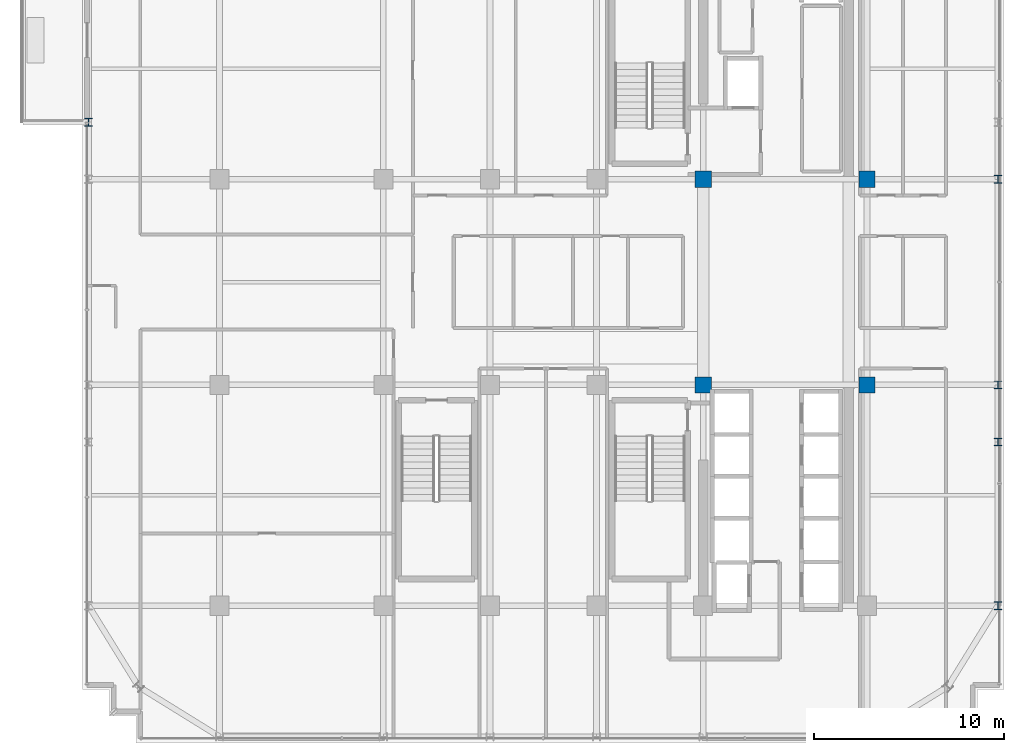
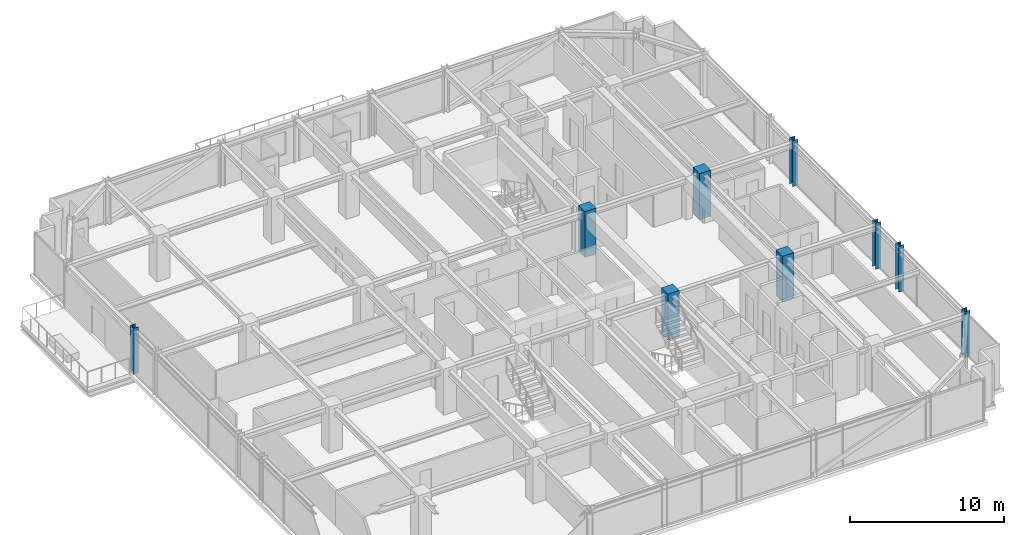
# One storey, part 2 of 41: 9 columns.
"""IFC4 building model written with IfcOpenShell, lengths in metres."""

from ifc_helpers import new_model, si_unit, direction, frame, origin, origin_2d, place, context, subcontext, project, spatial, rectangle, i_section, extrude, source, transform, mapped, material, material_profile, profile_set, type_object, element, save


model = new_model("IFC4")

# Units and contexts
model_context = context("Model", 3, precision=1e-05, world=origin(), true_north=direction((0.0, 1.0)))
body_context = subcontext(model_context, "Body", "Model", "MODEL_VIEW")
ifc_project = project(units=[si_unit("LENGTHUNIT", "METRE"), si_unit("AREAUNIT", "SQUARE_METRE"), si_unit("VOLUMEUNIT", "CUBIC_METRE"), si_unit("PLANEANGLEUNIT", "RADIAN"), si_unit("MASSUNIT", "GRAM", prefix="KILO")], contexts=[model_context])

# Site, building, storey
site_placement = place(None, origin())
site = spatial("IfcSite", under=ifc_project, at=site_placement, CompositionType="ELEMENT")
building_placement = place(site_placement, origin())
building = spatial("IfcBuilding", under=site, at=building_placement, Name="Nahalor Promenade Grand Hotel", CompositionType="ELEMENT")
storey_placement = place(building_placement, frame((0.0, 0.0, 227.10009765625)))
storey = spatial("IfcBuildingStorey", under=building, at=storey_placement, Name="L58", CompositionType="ELEMENT", Elevation=227.10009765625)

# Columns
ifc_material_1 = material(Name="Concrete B-70 (C60/75)", Category="concrete")
ifc_material_profile_1 = material_profile(ifc_material_1, rectangle(XDim=0.85, YDim=0.85, at=origin_2d()), Name="RC 850x850")
ifc_profile_set_1 = profile_set([ifc_material_profile_1], Name="Concrete B-70 (C60/75)")
column_type_1 = type_object("IfcColumnType", Name="Col-Pilaster-850", PredefinedType="PILASTER", material=ifc_profile_set_1)
shared_shape_1 = source(origin(), body_context, "Body", "SweptSolid", [
    extrude(rectangle(XDim=0.85, YDim=0.85, at=origin_2d()), origin(), (0.0, 0.0, 1.0), 3.65478515625),
])
for number, where, z_axis, x_axis, name in (
    (1, (8.39990234375, -5.39990234375, 0.0), (0.0, 0.0, 1.0), (1.0, 0.0, 0.0), "COL-L58-I41"),
    (2, (8.39990234375, 5.39990234375, 0.0), (0.0, 0.0, 1.0), (1.0, 0.0, 0.0), "COL-L58-I42"),
    (3, (17.0, -5.39990234375, 0.0), (0.0, 0.0, 1.0), (1.0, 0.0, 0.0), "COL-L58-I51"),
    (4, (17.0, 5.39990234375, 0.0), (0.0, 0.0, 1.0), (1.0, 0.0, 0.0), "COL-L58-I52"),
):
    element("IfcColumn", number, at=place(storey_placement, frame(where, z_axis=z_axis, x_axis=x_axis)), inside=storey, type_object=column_type_1, Name=name, PredefinedType="PILASTER", context=body_context, shape_type="MappedRepresentation", body=[
        mapped(shared_shape_1, transform((0.0, 0.0, 0.0), scale=1.0)),
    ])
ifc_material_2 = material(Name="Steel S355JR", Category="steel")
ifc_material_profile_2 = material_profile(ifc_material_2, i_section(OverallWidth=0.401, OverallDepth=0.406, WebThickness=0.0161, FlangeThickness=0.025, at=origin_2d()), Name="HD 400x314")
ifc_profile_set_2 = profile_set([ifc_material_profile_2], Name="Steel S355JR")
column_type_2 = type_object("IfcColumnType", Name="Col-Steel-HD314", PredefinedType="COLUMN", material=ifc_profile_set_2)
shared_shape_2 = source(origin(), body_context, "Body", "SweptSolid", [
    extrude(i_section(OverallWidth=0.401, OverallDepth=0.406, WebThickness=0.0161, FlangeThickness=0.025, at=origin_2d()), origin(), (0.0, 0.0, 1.0), 3.65478515625),
])
for number, where, z_axis, x_axis, name in (
    (5, (23.8798828125, -17.0, 0.0), (0.0, 0.0, 1.0), (1.0, 0.0, 0.0), "COL-L58-PW-E0"),
    (6, (23.8798828125, -8.39990234375, 0.0), (0.0, 0.0, 1.0), (1.0, 0.0, 0.0), "COL-L58-PW-E1"),
    (7, (23.8798828125, -5.39990234375, 0.0), (0.0, 0.0, 1.0), (1.0, 0.0, 0.0), "COL-L58-PW-E2"),
    (8, (23.8798828125, 5.39990234375, 0.0), (0.0, 0.0, 1.0), (1.0, 0.0, 0.0), "COL-L58-PW-E3"),
    (9, (-23.8798828125, 8.39990234375, 0.0), (0.0, 0.0, 1.0), (1.0, 0.0, 0.0), "COL-L58-PW-W4"),
):
    element("IfcColumn", number, at=place(storey_placement, frame(where, z_axis=z_axis, x_axis=x_axis)), inside=storey, type_object=column_type_2, Name=name, PredefinedType="COLUMN", context=body_context, shape_type="MappedRepresentation", body=[
        mapped(shared_shape_2, transform((0.0, 0.0, 0.0), scale=1.0)),
    ])

save(model, "model.ifc")
